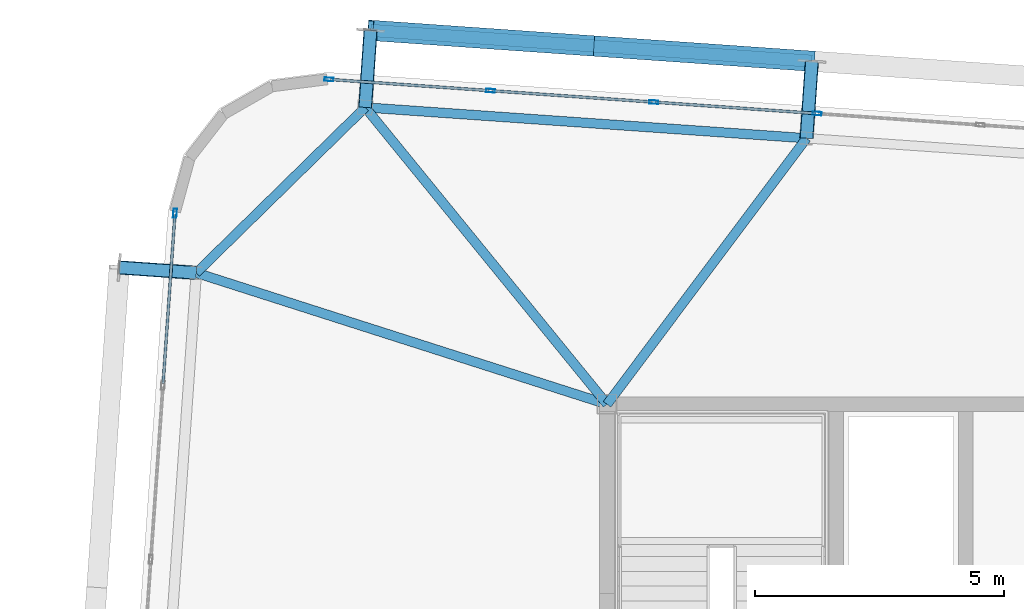
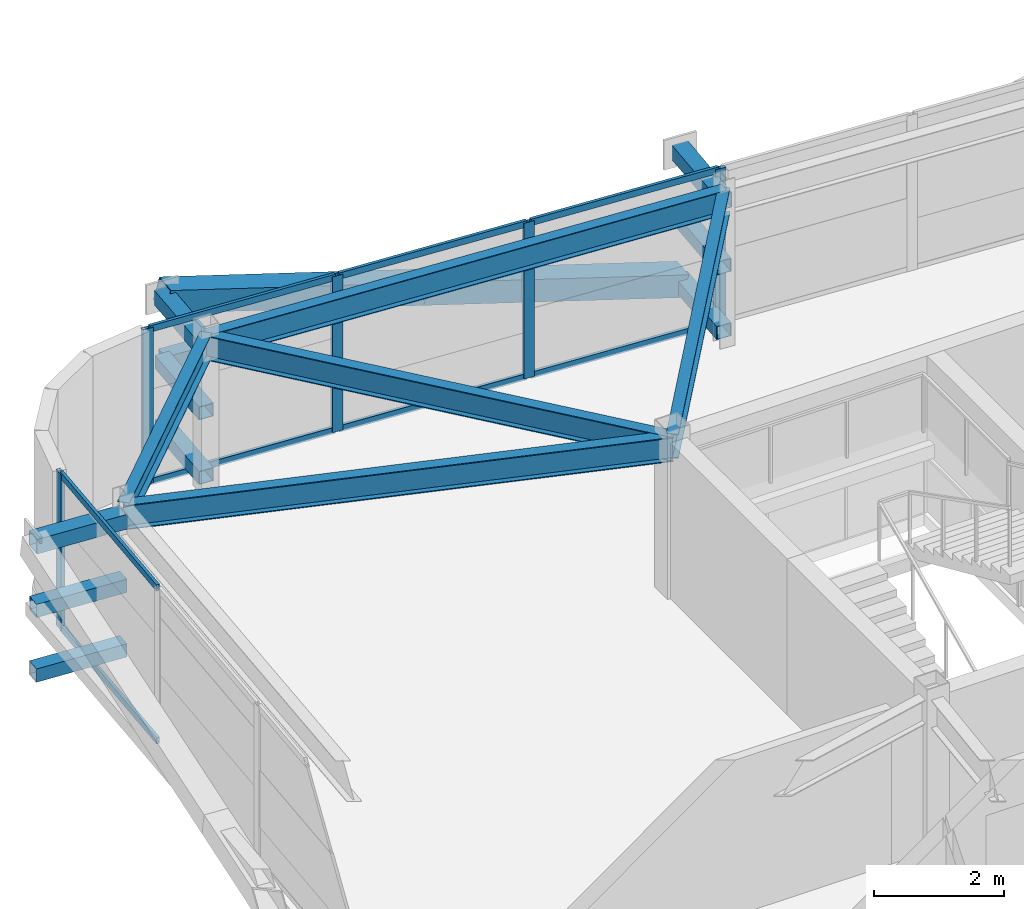
# One storey, part 26 of 47: 25 members, 5 beams, 2 elements without a shape of their own.
"""IFC4 building model written with IfcOpenShell, lengths in metres."""

from ifc_helpers import new_model, si_unit, direction, frame, origin, origin_2d, place, context, subcontext, project, spatial, hollow_rectangle, i_section, extrude, source, transform, mapped, material, layer, layer_set, material_profile, profile_set, type_object, element, aggregate, save


model = new_model("IFC4")

# Units and contexts
model_context = context("Model", 3, precision=1e-05, world=origin(), true_north=direction((0.0, 1.0)))
body_context = subcontext(model_context, "Body", "Model", "MODEL_VIEW")
ifc_project = project(units=[si_unit("LENGTHUNIT", "METRE"), si_unit("AREAUNIT", "SQUARE_METRE"), si_unit("VOLUMEUNIT", "CUBIC_METRE"), si_unit("PLANEANGLEUNIT", "RADIAN"), si_unit("MASSUNIT", "GRAM", prefix="KILO")], contexts=[model_context])

# Site, building, storey
site_placement = place(None, origin())
site = spatial("IfcSite", under=ifc_project, at=site_placement, CompositionType="ELEMENT")
building_placement = place(site_placement, origin())
building = spatial("IfcBuilding", under=site, at=building_placement, Name="Taldren Reach Tower", CompositionType="ELEMENT")
storey_placement = place(building_placement, frame((0.0, 0.0, 142.449951171875)))
storey = spatial("IfcBuildingStorey", under=building, at=storey_placement, Name="L43", CompositionType="ELEMENT", Elevation=142.449951171875)

# Members
ifc_material_1 = material(Name="Steel Gr 450 (C450L0)", Category="steel")
ifc_material_profile_1 = material_profile(ifc_material_1, hollow_rectangle(XDim=0.27490234375, YDim=0.27490234375, WallThickness=0.00927734375, at=origin_2d()), Name="275x275x9.3SHS")
ifc_profile_set_1 = profile_set([ifc_material_profile_1], Name="Steel Gr 450 (C450L0)")
member_type_1 = type_object("IfcMemberType", Name="MB-TIE273", PredefinedType="STRUT", material=ifc_profile_set_1)
shared_shape_1 = source(origin(), body_context, "Body", "SweptSolid", [
    extrude(hollow_rectangle(XDim=0.27490234375, YDim=0.27490234375, WallThickness=0.00927734375, at=origin_2d()), origin(), (0.0, 0.0, 1.0), 1.5498046875),
])
for number, where, z_axis, x_axis, name in (
    (1, (14.14453125, 37.958740234375, 2.650146484375), (0.069780535098, 0.997562367434, 0.0), (-0.997562367434, 0.069780535098, 0.0), "Exoskeleton diaphragm tie strut B3-N1 L43"),
    (2, (23.0029296875, 37.33935546875, 2.650146484375), (0.069780535098, 0.997562367434, 0.0), (-0.997562367434, 0.069780535098, 0.0), "Exoskeleton diaphragm tie strut B3-N2 L43"),
    (3, (10.754638671875, 34.63720703125, 2.650146484375), (-0.997562367434, 0.069780535098, 0.0), (-0.069780535098, -0.997562367434, 0.0), "Exoskeleton diaphragm tie strut B3-W3 L43"),
):
    element("IfcMember", number, at=place(storey_placement, frame(where, z_axis=z_axis, x_axis=x_axis)), inside=storey, type_object=member_type_1, Name=name, PredefinedType="STRUT", context=body_context, shape_type="MappedRepresentation", body=[
        mapped(shared_shape_1, transform((0.0, 0.0, 0.0), scale=1.0)),
    ])
ifc_material_2 = material(Name="Steel Gr 350 (C350L0)", Category="steel")
ifc_material_profile_2 = material_profile(ifc_material_2, hollow_rectangle(XDim=0.25, YDim=0.25, WallThickness=0.010009765625, at=origin_2d()), Name="250x250x10.0SHS")
ifc_profile_set_2 = profile_set([ifc_material_profile_2], Name="Steel Gr 350 (C350L0)")
member_type_2 = type_object("IfcMemberType", Name="MB-POST250", PredefinedType="POST", material=ifc_profile_set_2)
shared_shape_2 = source(origin(), body_context, "Body", "SweptSolid", [
    extrude(hollow_rectangle(XDim=0.25, YDim=0.25, WallThickness=0.010009765625, at=origin_2d()), origin(), (0.0, 0.0, 1.0), 1.5498046875),
])
for number, where, z_axis, x_axis, name in (
    (4, (14.14453125, 37.958740234375, 0.219970703125), (0.069780535098, 0.997562367434, 0.0), (-0.997562367434, 0.069780535098, 0.0), "Exoskeleton base diaphragm tie strut B3-N1 L43"),
    (5, (23.0029296875, 37.33935546875, 0.219970703125), (0.069780535098, 0.997562367434, 0.0), (-0.997562367434, 0.069780535098, 0.0), "Exoskeleton base diaphragm tie strut B3-N2 L43"),
    (6, (10.754638671875, 34.63720703125, 0.219970703125), (-0.997562367434, 0.069780535098, 0.0), (-0.069780535098, -0.997562367434, 0.0), "Exoskeleton base diaphragm tie strut B3-W3 L43"),
    (7, (14.14453125, 37.958740234375, 1.43505859375), (0.069780535098, 0.997562367434, 0.0), (-0.997562367434, 0.069780535098, 0.0), "Exoskeleton mid-tier diaphragm tie B3-N1 L43"),
    (8, (23.0029296875, 37.33935546875, 1.43505859375), (0.069780535098, 0.997562367434, 0.0), (-0.997562367434, 0.069780535098, 0.0), "Exoskeleton mid-tier diaphragm tie B3-N2 L43"),
    (9, (10.754638671875, 34.63720703125, 1.43505859375), (-0.997562367434, 0.069780535098, 0.0), (-0.069780535098, -0.997562367434, 0.0), "Exoskeleton mid-tier diaphragm tie B3-W3 L43"),
):
    element("IfcMember", number, at=place(storey_placement, frame(where, z_axis=z_axis, x_axis=x_axis)), inside=storey, type_object=member_type_2, Name=name, PredefinedType="POST", context=body_context, shape_type="MappedRepresentation", body=[
        mapped(shared_shape_2, transform((0.0, 0.0, 0.0), scale=1.0)),
    ])

# Beams
ifc_material_3 = material(Name="Steel Gr 350 (350PLUS)", Category="steel")
ifc_material_profile_3 = material_profile(ifc_material_3, i_section(OverallWidth=0.18994140625, OverallDepth=0.4541015625, WebThickness=0.008544921875, FlangeThickness=0.0126953125, at=origin_2d()), Name="460UB67.1")
ifc_profile_set_3 = profile_set([ifc_material_profile_3], Name="Steel Gr 350 (350PLUS)")
beam_type_1 = type_object("IfcBeamType", Name="SP-UB460B", PredefinedType="SPANDREL", material=ifc_profile_set_3)
shared_shape_3 = source(origin(), body_context, "Body", "SweptSolid", [
    extrude(i_section(OverallWidth=0.18994140625, OverallDepth=0.4541015625, WebThickness=0.008544921875, FlangeThickness=0.0126953125, at=origin_2d()), origin(), (0.0, 0.0, 1.0), 8.880126953125),
])
beam_1_placement = place(storey_placement, frame((23.0029296875, 37.33935546875, 2.703125), z_axis=(-0.997564479639, 0.069750333063, 0.0), x_axis=(-0.069750333063, -0.997564479639, 0.0)))
element("IfcBeam", 10, at=beam_1_placement, inside=storey, type_object=beam_type_1, Name="Perimeter spandrel B3 N2-N1 L43", PredefinedType="SPANDREL", context=body_context, shape_type="MappedRepresentation", body=[
    mapped(shared_shape_3, transform((0.0, 0.0, 0.0), scale=1.0)),
])
shared_shape_4 = source(origin(), body_context, "Body", "SweptSolid", [
    extrude(i_section(OverallWidth=0.18994140625, OverallDepth=0.4541015625, WebThickness=0.008544921875, FlangeThickness=0.0126953125, at=origin_2d()), origin(), (0.0, 0.0, 1.0), 4.745849609375),
])
beam_2_placement = place(storey_placement, frame((14.14453125, 37.958740234375, 2.703125), z_axis=(-0.714271982806, -0.699868226581, 0.0), x_axis=(0.699868226581, -0.714271982806, 0.0)))
element("IfcBeam", 11, at=beam_2_placement, inside=storey, type_object=beam_type_1, Name="Perimeter spandrel B3 N1-W3 L43", PredefinedType="SPANDREL", context=body_context, shape_type="MappedRepresentation", body=[
    mapped(shared_shape_4, transform((0.0, 0.0, 0.0), scale=1.0)),
])
ifc_material_profile_4 = material_profile(ifc_material_3, i_section(OverallWidth=0.19091796875, OverallDepth=0.4599609375, WebThickness=0.010009765625, FlangeThickness=0.01611328125, at=origin_2d()), Name="460UB82.1")
ifc_profile_set_4 = profile_set([ifc_material_profile_4], Name="Steel Gr 350 (350PLUS)")
beam_type_2 = type_object("IfcBeamType", Name="BM-UB460A", PredefinedType="BEAM", material=ifc_profile_set_4)
shared_shape_5 = source(origin(), body_context, "Body", "SweptSolid", [
    extrude(i_section(OverallWidth=0.19091796875, OverallDepth=0.4599609375, WebThickness=0.010009765625, FlangeThickness=0.01611328125, at=origin_2d()), origin(), (0.0, 0.0, 1.0), 6.67333984375),
])
beam_3_placement = place(storey_placement, frame((19.0, 32.0, 2.699951171875), z_axis=(0.599847795508, 0.800114130749, 0.0), x_axis=(-0.800114130749, 0.599847795508, 0.0)))
element("IfcBeam", 12, at=beam_3_placement, inside=storey, type_object=beam_type_2, Name="Primary floor girder B3-N2 L43", PredefinedType="BEAM", context=body_context, shape_type="MappedRepresentation", body=[
    mapped(shared_shape_5, transform((0.0, 0.0, 0.0), scale=1.0)),
])
shared_shape_6 = source(origin(), body_context, "Body", "SweptSolid", [
    extrude(i_section(OverallWidth=0.19091796875, OverallDepth=0.4599609375, WebThickness=0.010009765625, FlangeThickness=0.01611328125, at=origin_2d()), origin(), (0.0, 0.0, 1.0), 7.6865234375),
])
beam_4_placement = place(storey_placement, frame((19.0, 32.0, 2.699951171875), z_axis=(-0.631688504871, 0.775222311866, 0.0), x_axis=(-0.775222311866, -0.631688504871, 0.0)))
element("IfcBeam", 13, at=beam_4_placement, inside=storey, type_object=beam_type_2, Name="Primary floor girder B3-N1 L43", PredefinedType="BEAM", context=body_context, shape_type="MappedRepresentation", body=[
    mapped(shared_shape_6, transform((0.0, 0.0, 0.0), scale=1.0)),
])
shared_shape_7 = source(origin(), body_context, "Body", "SweptSolid", [
    extrude(i_section(OverallWidth=0.19091796875, OverallDepth=0.4599609375, WebThickness=0.010009765625, FlangeThickness=0.01611328125, at=origin_2d()), origin(), (0.0, 0.0, 1.0), 8.65673828125),
])
beam_5_placement = place(storey_placement, frame((19.0, 32.0, 2.699951171875), z_axis=(-0.952468016288, 0.304638602195, 0.0), x_axis=(-0.304638602195, -0.952468016288, 0.0)))
element("IfcBeam", 14, at=beam_5_placement, inside=storey, type_object=beam_type_2, Name="Primary floor girder B3-W3 L43", PredefinedType="BEAM", context=body_context, shape_type="MappedRepresentation", body=[
    mapped(shared_shape_7, transform((0.0, 0.0, 0.0), scale=1.0)),
])

# Members
shared_shape_8 = source(origin(), body_context, "Body", "SweptSolid", [
    extrude(hollow_rectangle(XDim=0.25, YDim=0.25, WallThickness=0.010009765625, at=origin_2d()), origin(), (0.0, 0.0, 1.0), 8.880126953125),
])
member_1_placement = place(storey_placement, frame((14.252685546875, 39.5048828125, 1.43505859375), z_axis=(0.997564479639, -0.069750333063, 0.0), x_axis=(0.069750333063, 0.997564479639, 0.0)))
element("IfcMember", 15, at=member_1_placement, inside=storey, type_object=member_type_2, Name="Exoskeleton mid-height ring chord B3-N1 L43", PredefinedType="POST", context=body_context, shape_type="MappedRepresentation", body=[
    mapped(shared_shape_8, transform((0.0, 0.0, 0.0), scale=1.0)),
])
ifc_material_profile_5 = material_profile(ifc_material_1, hollow_rectangle(XDim=0.409912109375, YDim=0.409912109375, WallThickness=0.01611328125, at=origin_2d()), Name="410x410x16.0SHS")
ifc_profile_set_5 = profile_set([ifc_material_profile_5], Name="Steel Gr 450 (C450L0)")
member_type_3 = type_object("IfcMemberType", Name="MB-EXO406", PredefinedType="BRACE", material=ifc_profile_set_5)
shared_shape_9 = source(origin(), body_context, "Body", "SweptSolid", [
    extrude(hollow_rectangle(XDim=0.409912109375, YDim=0.409912109375, WallThickness=0.01611328125, at=origin_2d()), origin(), (0.0, 0.0, 1.0), 4.603271484375),
])
for number, where, z_axis, x_axis, name in (
    (16, (23.111083984375, 38.885498046875, 0.219970703125), (-0.962182351074, 0.067302910567, 0.263961060594), (-0.06977769246, -0.997562566276, 0.0), "Exoskeleton Diagrid Brace B3-N1 L43"),
    (17, (18.681884765625, 39.1953125, 1.43505859375), (-0.962185784239, 0.067250114343, 0.263962002434), (-0.069722973508, -0.997566392259, 0.0), "Exoskeleton Diagrid Brace B3-N1 L43"),
):
    element("IfcMember", number, at=place(storey_placement, frame(where, z_axis=z_axis, x_axis=x_axis)), inside=storey, type_object=member_type_3, Name=name, PredefinedType="BRACE", context=body_context, shape_type="MappedRepresentation", body=[
        mapped(shared_shape_9, transform((0.0, 0.0, 0.0), scale=1.0)),
    ])

# Curtain wall, members
ifc_material_4 = material(Name="Aluminium and Low-E Glass Unitised System", Category="aluminium")
ifc_layer = layer(ifc_material_4, 0.159912109375)
ifc_layer_set = layer_set([ifc_layer], Name="Aluminium and Low-E Glass Unitised System")
curtain_wall_type = type_object("IfcCurtainWallType", Name="CW-SYS-4", PredefinedType="NOTDEFINED", material=ifc_layer_set)
curtain_wall_1_placement = place(storey_placement, origin())
curtain_wall_1 = element("IfcCurtainWall", 18, at=curtain_wall_1_placement, inside=storey, type_object=curtain_wall_type, Name="Unitised curtain wall CW-L43-N", PredefinedType="NOTDEFINED")
ifc_material_5 = material(Name="Anodised Aluminium 6063-T6", Category="aluminium")
ifc_material_profile_6 = material_profile(ifc_material_5, hollow_rectangle(XDim=0.070068359375, YDim=0.179931640625, WallThickness=0.00390625, at=origin_2d()), Name="ALU-180x70x4RHS")
ifc_profile_set_6 = profile_set([ifc_material_profile_6], Name="Anodised Aluminium 6063-T6")
member_type_4 = type_object("IfcMemberType", Name="CW-MUL-180", PredefinedType="MULLION", material=ifc_profile_set_6)
shared_shape_10 = source(origin(), body_context, "Body", "SweptSolid", [
    extrude(hollow_rectangle(XDim=0.070068359375, YDim=0.179931640625, WallThickness=0.00390625, at=origin_2d()), origin(), (0.0, 0.0, 1.0), 2.929931640625),
])
member_2_placement = place(storey_placement, frame((23.21533203125, 37.835693359375, 0.0), z_axis=(0.0, 0.0, 1.0), x_axis=(-0.06975651593, -0.99756404731, 0.0)))
member_2 = element("IfcMember", 19, at=member_2_placement, type_object=member_type_4, Name="CW-4 mullion 12", PredefinedType="MULLION", context=body_context, shape_type="MappedRepresentation", body=[
    mapped(shared_shape_10, transform((0.0, 0.0, 0.0), scale=1.0)),
])
member_3_placement = place(storey_placement, frame((19.9375, 38.06494140625, 0.0), z_axis=(0.0, 0.0, 1.0), x_axis=(-0.06975651593, -0.99756404731, 0.0)))
member_3 = element("IfcMember", 20, at=member_3_placement, type_object=member_type_4, Name="CW-4 mullion 13", PredefinedType="MULLION", context=body_context, shape_type="MappedRepresentation", body=[
    mapped(shared_shape_10, transform((0.0, 0.0, 0.0), scale=1.0)),
])
member_4_placement = place(storey_placement, frame((16.659912109375, 38.294189453125, 0.0), z_axis=(0.0, 0.0, 1.0), x_axis=(-0.06975651593, -0.99756404731, 0.0)))
member_4 = element("IfcMember", 21, at=member_4_placement, type_object=member_type_4, Name="CW-4 mullion 14", PredefinedType="MULLION", context=body_context, shape_type="MappedRepresentation", body=[
    mapped(shared_shape_10, transform((0.0, 0.0, 0.0), scale=1.0)),
])
member_5_placement = place(storey_placement, frame((13.4169921875, 38.52099609375, 0.0), z_axis=(0.0, 0.0, 1.0), x_axis=(-0.06975651593, -0.99756404731, 0.0)))
member_5 = element("IfcMember", 22, at=member_5_placement, type_object=member_type_4, Name="CW-4 mullion 15", PredefinedType="MULLION", context=body_context, shape_type="MappedRepresentation", body=[
    mapped(shared_shape_10, transform((0.0, 0.0, 0.0), scale=1.0)),
])

# Curtain wall, member
curtain_wall_2_placement = place(storey_placement, origin())
curtain_wall_2 = element("IfcCurtainWall", 23, at=curtain_wall_2_placement, inside=storey, type_object=curtain_wall_type, Name="Unitised curtain wall CW-L43-W", PredefinedType="NOTDEFINED")
member_6_placement = place(storey_placement, frame((10.3271484375, 35.8349609375, 0.0), z_axis=(0.0, 0.0, 1.0), x_axis=(0.997564052812, -0.069756437251, 0.0)))
member_6 = element("IfcMember", 24, at=member_6_placement, type_object=member_type_4, Name="CW-4 mullion 1", PredefinedType="MULLION", context=body_context, shape_type="MappedRepresentation", body=[
    mapped(shared_shape_10, transform((0.0, 0.0, 0.0), scale=1.0)),
])

# Member
ifc_material_profile_7 = material_profile(ifc_material_5, hollow_rectangle(XDim=0.054931640625, YDim=0.1201171875, WallThickness=0.0029296875, at=origin_2d()), Name="ALU-120x55x3RHS")
ifc_profile_set_7 = profile_set([ifc_material_profile_7], Name="Anodised Aluminium 6063-T6")
member_type_5 = type_object("IfcMemberType", Name="CW-TRN-135", PredefinedType="USERDEFINED", material=ifc_profile_set_7)
shared_shape_11 = source(origin(), body_context, "Body", "SweptSolid", [
    extrude(hollow_rectangle(XDim=0.054931640625, YDim=0.1201171875, WallThickness=0.0029296875, at=origin_2d()), origin(), (0.0, 0.0, 1.0), 3.2158203125),
])
member_7_placement = place(storey_placement, frame((23.180419921875, 37.838134765625, 0.027587890625), z_axis=(-0.997563195991, 0.069768689278, 0.0), x_axis=(-0.069768689278, -0.997563195991, 0.0)))
member_7 = element("IfcMember", 25, at=member_7_placement, type_object=member_type_5, Name="CW-4 transom 12.1", ObjectType="TRANSOM", PredefinedType="USERDEFINED", context=body_context, shape_type="MappedRepresentation", body=[
    mapped(shared_shape_11, transform((0.0, 0.0, 0.0), scale=1.0)),
])

member_8_placement = place(storey_placement, frame((23.180419921875, 37.838134765625, 2.902587890625), z_axis=(-0.997563195991, 0.069768689278, 0.0), x_axis=(-0.069768689278, -0.997563195991, 0.0)))
member_8 = element("IfcMember", 26, at=member_8_placement, type_object=member_type_5, Name="CW-4 transom 12.2", ObjectType="TRANSOM", PredefinedType="USERDEFINED", context=body_context, shape_type="MappedRepresentation", body=[
    mapped(shared_shape_11, transform((0.0, 0.0, 0.0), scale=1.0)),
])

shared_shape_12 = source(origin(), body_context, "Body", "SweptSolid", [
    extrude(hollow_rectangle(XDim=0.054931640625, YDim=0.1201171875, WallThickness=0.0029296875, at=origin_2d()), origin(), (0.0, 0.0, 1.0), 3.215576171875),
])
member_9_placement = place(storey_placement, frame((19.902587890625, 38.0673828125, 0.027587890625), z_axis=(-0.997562826405, 0.069773973473, 0.0), x_axis=(-0.069773973473, -0.997562826405, 0.0)))
member_9 = element("IfcMember", 27, at=member_9_placement, type_object=member_type_5, Name="CW-4 transom 13.1", ObjectType="TRANSOM", PredefinedType="USERDEFINED", context=body_context, shape_type="MappedRepresentation", body=[
    mapped(shared_shape_12, transform((0.0, 0.0, 0.0), scale=1.0)),
])

member_10_placement = place(storey_placement, frame((19.902587890625, 38.0673828125, 2.902587890625), z_axis=(-0.997562826405, 0.069773973473, 0.0), x_axis=(-0.069773973473, -0.997562826405, 0.0)))
member_10 = element("IfcMember", 28, at=member_10_placement, type_object=member_type_5, Name="CW-4 transom 13.2", ObjectType="TRANSOM", PredefinedType="USERDEFINED", context=body_context, shape_type="MappedRepresentation", body=[
    mapped(shared_shape_12, transform((0.0, 0.0, 0.0), scale=1.0)),
])

shared_shape_13 = source(origin(), body_context, "Body", "SweptSolid", [
    extrude(hollow_rectangle(XDim=0.054931640625, YDim=0.1201171875, WallThickness=0.0029296875, at=origin_2d()), origin(), (0.0, 0.0, 1.0), 3.180908203125),
])
member_11_placement = place(storey_placement, frame((16.625, 38.296630859375, 0.027587890625), z_axis=(-0.99756318908, 0.069768788095, 0.0), x_axis=(-0.069768788095, -0.99756318908, 0.0)))
member_11 = element("IfcMember", 29, at=member_11_placement, type_object=member_type_5, Name="CW-4 transom 14.1", ObjectType="TRANSOM", PredefinedType="USERDEFINED", context=body_context, shape_type="MappedRepresentation", body=[
    mapped(shared_shape_13, transform((0.0, 0.0, 0.0), scale=1.0)),
])

member_12_placement = place(storey_placement, frame((16.625, 38.296630859375, 2.902587890625), z_axis=(-0.99756318908, 0.069768788095, 0.0), x_axis=(-0.069768788095, -0.99756318908, 0.0)))
member_12 = element("IfcMember", 30, at=member_12_placement, type_object=member_type_5, Name="CW-4 transom 14.2", ObjectType="TRANSOM", PredefinedType="USERDEFINED", context=body_context, shape_type="MappedRepresentation", body=[
    mapped(shared_shape_13, transform((0.0, 0.0, 0.0), scale=1.0)),
])

aggregate(curtain_wall_1, [member_2, member_3, member_4, member_5, member_7, member_8, member_9, member_10, member_11, member_12])

shared_shape_14 = source(origin(), body_context, "Body", "SweptSolid", [
    extrude(hollow_rectangle(XDim=0.054931640625, YDim=0.1201171875, WallThickness=0.0029296875, at=origin_2d()), origin(), (0.0, 0.0, 1.0), 3.39501953125),
])
member_13_placement = place(storey_placement, frame((10.32470703125, 35.800048828125, 0.027587890625), z_axis=(-0.069754703634, -0.997564174036, 0.0), x_axis=(0.997564174036, -0.069754703634, 0.0)))
member_13 = element("IfcMember", 31, at=member_13_placement, type_object=member_type_5, Name="CW-4 transom 1.1", ObjectType="TRANSOM", PredefinedType="USERDEFINED", context=body_context, shape_type="MappedRepresentation", body=[
    mapped(shared_shape_14, transform((0.0, 0.0, 0.0), scale=1.0)),
])

member_14_placement = place(storey_placement, frame((10.32470703125, 35.800048828125, 2.902587890625), z_axis=(-0.069754703634, -0.997564174036, 0.0), x_axis=(0.997564174036, -0.069754703634, 0.0)))
member_14 = element("IfcMember", 32, at=member_14_placement, type_object=member_type_5, Name="CW-4 transom 1.2", ObjectType="TRANSOM", PredefinedType="USERDEFINED", context=body_context, shape_type="MappedRepresentation", body=[
    mapped(shared_shape_14, transform((0.0, 0.0, 0.0), scale=1.0)),
])

aggregate(curtain_wall_2, [member_6, member_13, member_14])

save(model, "model.ifc")
